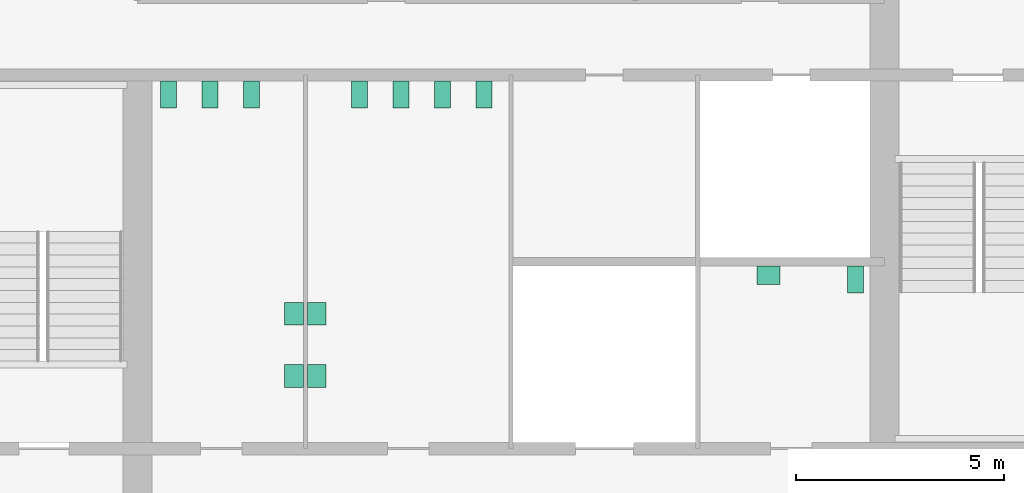
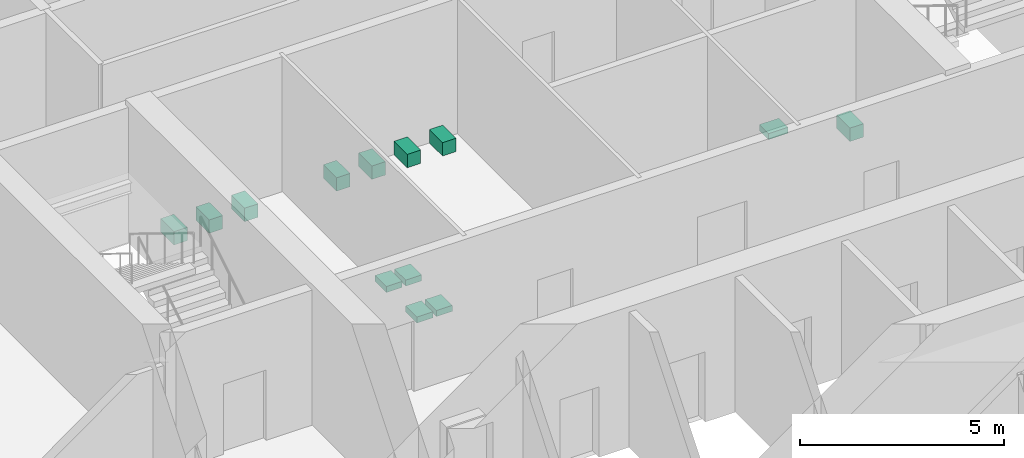
# One storey, part 12 of 12: 13 sanitary terminals.
"""IFC4 building model written with IfcOpenShell, lengths in metres."""

import ifcopenshell
import ifcopenshell.guid

model = None  # the IFC model being written
_history = None  # IfcOwnerHistory: only IFC2X3 demands one
_inside = {}  # id of a spatial element -> (the spatial element, [elements in it])
_under = {}  # id of a project, library or spatial element -> (it, [spatial elements below it])
_declared = {}  # id of a project -> (the project, [libraries it declares])
_typed = {}  # id of a type object -> (the type object, [elements of that type])
_made_of = {}  # id of a material, layer set ... -> (it, [elements and type objects made of it])


def new_model(schema):
    """Start an empty IFC model of exactly this schema.

    Asked for "IFC4X3", IfcOpenShell would pick the latest addendum, in which some entities
    have other attributes; the version numbers below select the first issue.
    IFC2X3 requires an IfcOwnerHistory on every rooted entity: one is made here for all.
    """
    global model, _history
    if schema == "IFC4X3":
        model = ifcopenshell.file(schema_version=(4, 3, 0, 0))
    else:
        model = ifcopenshell.file(schema=schema)
    _inside.clear()
    _under.clear()
    _declared.clear()
    _typed.clear()
    _made_of.clear()
    _history = None
    if model.schema == "IFC2X3":
        org = make("IfcOrganization", Name="unknown")
        user = make(
            "IfcPersonAndOrganization",
            ThePerson=make("IfcPerson", FamilyName="unknown"),
            TheOrganization=org,
        )
        app = make(
            "IfcApplication",
            ApplicationDeveloper=org,
            Version="unknown",
            ApplicationFullName="unknown",
            ApplicationIdentifier="unknown",
        )
        _history = make(
            "IfcOwnerHistory",
            OwningUser=user,
            OwningApplication=app,
            ChangeAction="ADDED",
            CreationDate=0,
        )
    return model


def make(cls, **values):
    """One entity of the class cls with the attributes given. An attribute that is None is left unset."""
    return model.create_entity(
        cls, **{name: value for name, value in values.items() if value is not None}
    )


def rooted(cls, **values):
    """An entity with a GlobalId (a new one), such as an element, a storey or a relation."""
    return make(cls, GlobalId=ifcopenshell.guid.new(), OwnerHistory=_history, **values)


def si_unit(unit_type, name, prefix=None):
    """IfcSIUnit, for example si_unit("LENGTHUNIT", "METRE", prefix="MILLI")."""
    return make("IfcSIUnit", UnitType=unit_type, Prefix=prefix, Name=name)


def assignment(units):
    """IfcUnitAssignment: the units of a project."""
    return None if units is None else make("IfcUnitAssignment", Units=units)


def point(xyz):
    """IfcCartesianPoint."""
    return None if xyz is None else make("IfcCartesianPoint", Coordinates=xyz)


def direction(xyz):
    """IfcDirection."""
    return None if xyz is None else make("IfcDirection", DirectionRatios=xyz)


def frame(location, z_axis=None, x_axis=None):
    """IfcAxis2Placement3D, a coordinate frame: its origin and axes. An axis left out is left unset."""
    return make(
        "IfcAxis2Placement3D",
        Location=point(location),
        Axis=direction(z_axis),
        RefDirection=direction(x_axis),
    )


def frame_2d(location, x_axis=None):
    """IfcAxis2Placement2D, a coordinate frame in the plane: its origin and x axis."""
    return make(
        "IfcAxis2Placement2D", Location=point(location), RefDirection=direction(x_axis)
    )


def origin():
    """The frame at (0, 0, 0) with its axes left unset."""
    return frame((0.0, 0.0, 0.0))


def origin_2d():
    """The frame at (0, 0) in the plane with its x axis left unset."""
    return frame_2d((0.0, 0.0))


def place(relative_to, where):
    """IfcLocalPlacement: puts the frame where relative to a parent placement (None: the world)."""
    return make(
        "IfcLocalPlacement", PlacementRelTo=relative_to, RelativePlacement=where
    )


def context(
    kind, dimensions, precision=None, world=None, true_north=None, identifier=None
):
    """IfcGeometricRepresentationContext, for example the 3D "Model" context."""
    return make(
        "IfcGeometricRepresentationContext",
        ContextIdentifier=identifier,
        ContextType=kind,
        CoordinateSpaceDimension=dimensions,
        Precision=precision,
        WorldCoordinateSystem=world,
        TrueNorth=true_north,
    )


def subcontext(parent, identifier, kind, view, scale=None):
    """IfcGeometricRepresentationSubContext, for example "Body" below "Model"."""
    return make(
        "IfcGeometricRepresentationSubContext",
        ContextIdentifier=identifier,
        ContextType=kind,
        ParentContext=parent,
        TargetScale=scale,
        TargetView=view,
    )


def project(units=None, contexts=None):
    """IfcProject with its units and contexts."""
    return rooted(
        "IfcProject",
        Name="project",
        RepresentationContexts=contexts,
        UnitsInContext=assignment(units),
    )


def spatial(cls, under=None, at=None, **own):
    """A site, building, storey or space (cls), placed at a placement, below another one or the project."""
    s = rooted(cls, ObjectPlacement=at, **own)
    if under is not None:
        _under.setdefault(under.id(), (under, []))[1].append(s)
    return s


def profile(cls, at=None, kind="AREA", **sizes):
    """A parametric profile (cls). Its sizes go by their IFC names, for example OverallWidth=200.0."""
    return make(cls, ProfileType=kind, Position=at, **sizes)


def rectangle(**sizes):
    """IfcRectangleProfileDef."""
    return profile("IfcRectangleProfileDef", **sizes)


def extrude(swept, where, along, depth):
    """IfcExtrudedAreaSolid: the profile swept, set in the frame where, extruded along a direction by depth."""
    return make(
        "IfcExtrudedAreaSolid",
        SweptArea=swept,
        Position=where,
        ExtrudedDirection=direction(along),
        Depth=depth,
    )


def shape(context_of_items, identifier, shape_type, items):
    """IfcShapeRepresentation: the items that make up one representation, for example the "Body"."""
    return make(
        "IfcShapeRepresentation",
        ContextOfItems=context_of_items,
        RepresentationIdentifier=identifier,
        RepresentationType=shape_type,
        Items=items,
    )


def material(Name=None, Category=None):
    """IfcMaterial."""
    return make("IfcMaterial", Name=Name, Category=Category)


def made_of(thing, what):
    """Note that an element or type object is made of a material, layer set ...; save() writes the relation."""
    if what is not None:
        _made_of.setdefault(what.id(), (what, []))[1].append(thing)
    return thing


def type_object(cls, material=None, **own):
    """A type object (cls), such as IfcWallType, which elements share."""
    return made_of(rooted(cls, **own), material)


def element(
    cls,
    number,
    at=None,
    inside=None,
    cuts=None,
    type_object=None,
    material=None,
    context=None,
    identifier="Body",
    shape_type=None,
    held_by="IfcProductDefinitionShape",
    body=None,
    shapes=None,
    **own,
):
    """One element of the class cls, such as IfcWall. Its Tag is "e" and its number.

    at: its placement. inside: the storey or other place that contains it. cuts: it is an
    opening in that element (IfcRelVoidsElement). A single representation is given by context,
    identifier, shape_type and body (its items); several are given by shapes. held_by: the class
    of the entity that holds the representations. save() writes the other relations.
    """
    e = rooted(cls, Tag="e%d" % number, ObjectPlacement=at, **own)
    if body is not None:
        shapes = [shape(context, identifier, shape_type, body)]
    if shapes is not None:
        e.Representation = make(held_by, Representations=shapes)
    if inside is not None:
        _inside.setdefault(inside.id(), (inside, []))[1].append(e)
    if cuts is not None:
        rooted(
            "IfcRelVoidsElement", RelatingBuildingElement=cuts, RelatedOpeningElement=e
        )
    if type_object is not None:
        _typed.setdefault(type_object.id(), (type_object, []))[1].append(e)
    return made_of(e, material)


def aggregate(whole, parts):
    """IfcRelAggregates: a whole, such as a stair, and the parts it consists of."""
    return rooted("IfcRelAggregates", RelatingObject=whole, RelatedObjects=parts)


def save(model, path):
    """Write the relations noted so far, then the file.

    IfcRelAggregates (storeys below a building ...), IfcRelContainedInSpatialStructure (elements
    in a storey), IfcRelDefinesByType, IfcRelAssociatesMaterial and IfcRelDeclares: one each for
    every whole, place, type object, material and project.
    """
    for whole, parts in _under.values():
        aggregate(whole, parts)
    for where, things in _inside.values():
        rooted(
            "IfcRelContainedInSpatialStructure",
            RelatedElements=things,
            RelatingStructure=where,
        )
    for kind, things in _typed.values():
        rooted("IfcRelDefinesByType", RelatedObjects=things, RelatingType=kind)
    for what, things in _made_of.values():
        rooted("IfcRelAssociatesMaterial", RelatedObjects=things, RelatingMaterial=what)
    for by, libraries in _declared.values():
        rooted("IfcRelDeclares", RelatingContext=by, RelatedDefinitions=libraries)
    model.write(path)


model = new_model("IFC4")

# Units and contexts
model_context = context("Model", 3, precision=1e-05, world=origin(), true_north=direction((0.0, 1.0)))
body_context = subcontext(model_context, "Body", "Model", "MODEL_VIEW")
ifc_project = project(units=[si_unit("LENGTHUNIT", "METRE"), si_unit("AREAUNIT", "SQUARE_METRE"), si_unit("VOLUMEUNIT", "CUBIC_METRE"), si_unit("PLANEANGLEUNIT", "RADIAN"), si_unit("MASSUNIT", "GRAM", prefix="KILO")], contexts=[model_context])

# Site, building, storey
site_placement = place(None, origin())
site = spatial("IfcSite", under=ifc_project, at=site_placement, CompositionType="ELEMENT")
building_placement = place(site_placement, origin())
building = spatial("IfcBuilding", under=site, at=building_placement, Name="Corais Broadcast Tower", CompositionType="ELEMENT")
storey_placement = place(building_placement, frame((0.0, 0.0, 29.0)))
storey = spatial("IfcBuildingStorey", under=building, at=storey_placement, Name="L05", CompositionType="ELEMENT", Elevation=29.0)

# Sanitary terminals
ifc_material_1 = material(Name="Vitreous china", Category="ceramic")
sanitary_terminal_type_1 = type_object("IfcSanitaryTerminalType", Name="WC pan 380x650", PredefinedType="TOILETPAN", material=ifc_material_1)
for number, where, z_axis, x_axis, name in (
    (1, (18.75, 31.02490234375, 0.0), (0.0, 0.0, 1.0), (1.0, 0.0, 0.0), "SW1 WC pan, male toilets L05"),
    (2, (19.75, 31.02490234375, 0.0), (0.0, 0.0, 1.0), (1.0, 0.0, 0.0), "SW1 WC pan, male toilets L05"),
    (3, (20.75, 31.02490234375, 0.0), (0.0, 0.0, 1.0), (1.0, 0.0, 0.0), "SW1 WC pan, male toilets L05"),
    (4, (23.35009765625, 31.02490234375, 0.0), (0.0, 0.0, 1.0), (1.0, 0.0, 0.0), "SW1 WC pan, female toilets L05"),
    (5, (24.35009765625, 31.02490234375, 0.0), (0.0, 0.0, 1.0), (1.0, 0.0, 0.0), "SW1 WC pan, female toilets L05"),
    (6, (25.35009765625, 31.02490234375, 0.0), (0.0, 0.0, 1.0), (1.0, 0.0, 0.0), "SW1 WC pan, female toilets L05"),
    (7, (26.35009765625, 31.02490234375, 0.0), (0.0, 0.0, 1.0), (1.0, 0.0, 0.0), "SW1 WC pan, female toilets L05"),
    (8, (35.300048828125, 26.574951171875, 0.0), (0.0, 0.0, 1.0), (1.0, 0.0, 0.0), "SW1 WC pan, accessible WC L05"),
):
    element("IfcSanitaryTerminal", number, at=place(storey_placement, frame(where, z_axis=z_axis, x_axis=x_axis)), inside=storey, type_object=sanitary_terminal_type_1, Name=name, PredefinedType="TOILETPAN", context=body_context, shape_type="SweptSolid", body=[
        extrude(rectangle(XDim=0.3798828125, YDim=0.64990234375, at=origin_2d()), origin(), (0.0, 0.0, 1.0), 0.39990234375),
    ])
ifc_material_2 = material(Name="Vitreous china", Category="ceramic")
sanitary_terminal_type_2 = type_object("IfcSanitaryTerminalType", Name="Wash basin 550x450", PredefinedType="WASHHANDBASIN", material=ifc_material_2)
for number, where, z_axis, x_axis, name in (
    (9, (21.77490234375, 24.25, 0.7001953125), (0.0, 0.0, 1.0), (1.0, 0.0, 0.0), "WB1 wash basin, male toilets L05"),
    (10, (21.77490234375, 25.75, 0.7001953125), (0.0, 0.0, 1.0), (1.0, 0.0, 0.0), "WB1 wash basin, male toilets L05"),
    (11, (22.324951171875, 24.25, 0.7001953125), (0.0, 0.0, 1.0), (1.0, 0.0, 0.0), "WB1 wash basin, female toilets L05"),
    (12, (22.324951171875, 25.75, 0.7001953125), (0.0, 0.0, 1.0), (1.0, 0.0, 0.0), "WB1 wash basin, female toilets L05"),
):
    element("IfcSanitaryTerminal", number, at=place(storey_placement, frame(where, z_axis=z_axis, x_axis=x_axis)), inside=storey, type_object=sanitary_terminal_type_2, Name=name, PredefinedType="WASHHANDBASIN", context=body_context, shape_type="SweptSolid", body=[
        extrude(rectangle(XDim=0.449951171875, YDim=0.550048828125, at=origin_2d()), origin(), (0.0, 0.0, 1.0), 0.179931640625),
    ])
sanitary_terminal_placement = place(storey_placement, frame((33.199951171875, 26.675048828125, 0.7001953125), z_axis=(0.0, 0.0, 1.0), x_axis=(1.0, 0.0, 0.0)))
element("IfcSanitaryTerminal", 13, at=sanitary_terminal_placement, inside=storey, type_object=sanitary_terminal_type_2, Name="WB1 wash basin, accessible WC L05", PredefinedType="WASHHANDBASIN", context=body_context, shape_type="SweptSolid", body=[
    extrude(rectangle(XDim=0.550048828125, YDim=0.449951171875, at=origin_2d()), origin(), (0.0, 0.0, 1.0), 0.179931640625),
])

save(model, "model.ifc")
